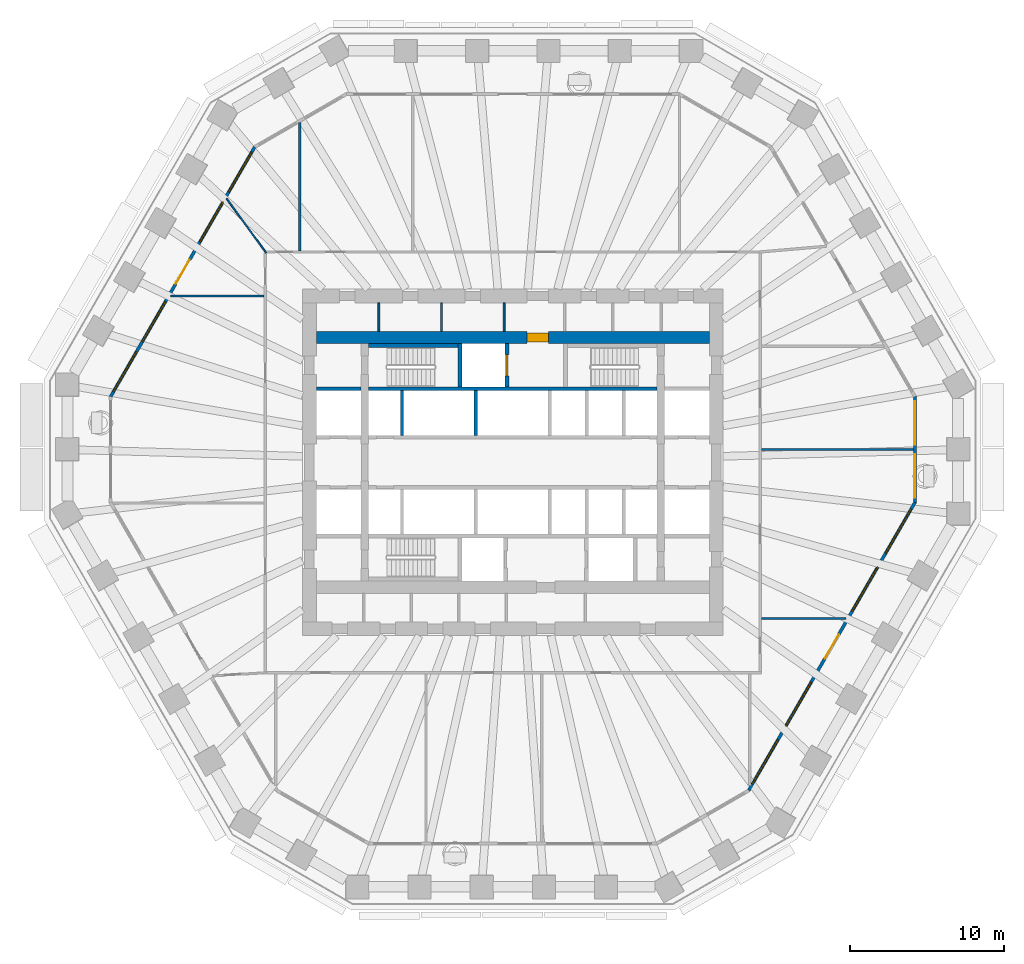
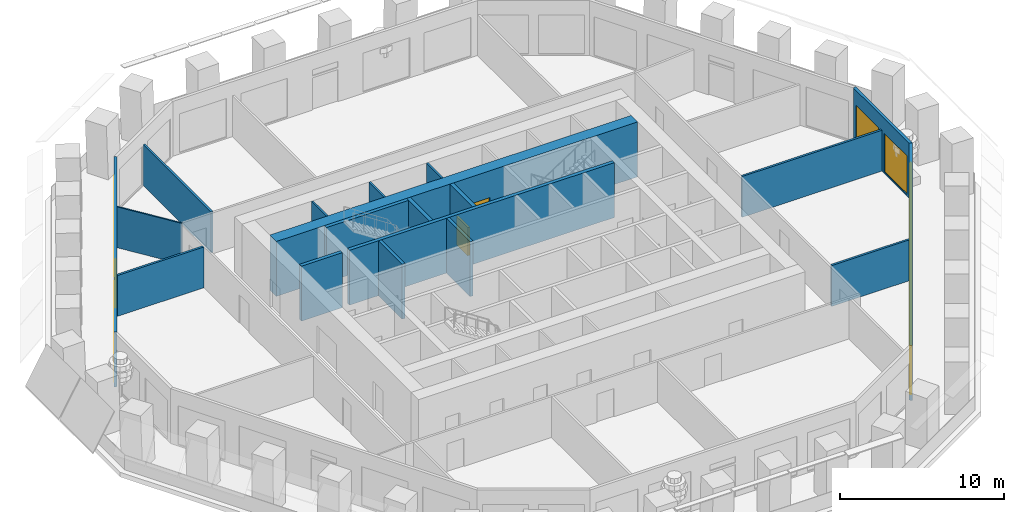
# One storey, part 6 of 12: 19 walls, 12 windows, 4 doors, 16 openings.
"""IFC4 building model written with IfcOpenShell, lengths in metres."""

import ifcopenshell
import ifcopenshell.guid

model = None  # the IFC model being written
_history = None  # IfcOwnerHistory: only IFC2X3 demands one
_inside = {}  # id of a spatial element -> (the spatial element, [elements in it])
_under = {}  # id of a project, library or spatial element -> (it, [spatial elements below it])
_declared = {}  # id of a project -> (the project, [libraries it declares])
_typed = {}  # id of a type object -> (the type object, [elements of that type])
_made_of = {}  # id of a material, layer set ... -> (it, [elements and type objects made of it])


def new_model(schema):
    """Start an empty IFC model of exactly this schema.

    Asked for "IFC4X3", IfcOpenShell would pick the latest addendum, in which some entities
    have other attributes; the version numbers below select the first issue.
    IFC2X3 requires an IfcOwnerHistory on every rooted entity: one is made here for all.
    """
    global model, _history
    if schema == "IFC4X3":
        model = ifcopenshell.file(schema_version=(4, 3, 0, 0))
    else:
        model = ifcopenshell.file(schema=schema)
    _inside.clear()
    _under.clear()
    _declared.clear()
    _typed.clear()
    _made_of.clear()
    _history = None
    if model.schema == "IFC2X3":
        org = make("IfcOrganization", Name="unknown")
        user = make(
            "IfcPersonAndOrganization",
            ThePerson=make("IfcPerson", FamilyName="unknown"),
            TheOrganization=org,
        )
        app = make(
            "IfcApplication",
            ApplicationDeveloper=org,
            Version="unknown",
            ApplicationFullName="unknown",
            ApplicationIdentifier="unknown",
        )
        _history = make(
            "IfcOwnerHistory",
            OwningUser=user,
            OwningApplication=app,
            ChangeAction="ADDED",
            CreationDate=0,
        )
    return model


def make(cls, **values):
    """One entity of the class cls with the attributes given. An attribute that is None is left unset."""
    return model.create_entity(
        cls, **{name: value for name, value in values.items() if value is not None}
    )


def rooted(cls, **values):
    """An entity with a GlobalId (a new one), such as an element, a storey or a relation."""
    return make(cls, GlobalId=ifcopenshell.guid.new(), OwnerHistory=_history, **values)


def si_unit(unit_type, name, prefix=None):
    """IfcSIUnit, for example si_unit("LENGTHUNIT", "METRE", prefix="MILLI")."""
    return make("IfcSIUnit", UnitType=unit_type, Prefix=prefix, Name=name)


def assignment(units):
    """IfcUnitAssignment: the units of a project."""
    return None if units is None else make("IfcUnitAssignment", Units=units)


def point(xyz):
    """IfcCartesianPoint."""
    return None if xyz is None else make("IfcCartesianPoint", Coordinates=xyz)


def direction(xyz):
    """IfcDirection."""
    return None if xyz is None else make("IfcDirection", DirectionRatios=xyz)


def frame(location, z_axis=None, x_axis=None):
    """IfcAxis2Placement3D, a coordinate frame: its origin and axes. An axis left out is left unset."""
    return make(
        "IfcAxis2Placement3D",
        Location=point(location),
        Axis=direction(z_axis),
        RefDirection=direction(x_axis),
    )


def frame_2d(location, x_axis=None):
    """IfcAxis2Placement2D, a coordinate frame in the plane: its origin and x axis."""
    return make(
        "IfcAxis2Placement2D", Location=point(location), RefDirection=direction(x_axis)
    )


def origin():
    """The frame at (0, 0, 0) with its axes left unset."""
    return frame((0.0, 0.0, 0.0))


def place(relative_to, where):
    """IfcLocalPlacement: puts the frame where relative to a parent placement (None: the world)."""
    return make(
        "IfcLocalPlacement", PlacementRelTo=relative_to, RelativePlacement=where
    )


def context(
    kind, dimensions, precision=None, world=None, true_north=None, identifier=None
):
    """IfcGeometricRepresentationContext, for example the 3D "Model" context."""
    return make(
        "IfcGeometricRepresentationContext",
        ContextIdentifier=identifier,
        ContextType=kind,
        CoordinateSpaceDimension=dimensions,
        Precision=precision,
        WorldCoordinateSystem=world,
        TrueNorth=true_north,
    )


def subcontext(parent, identifier, kind, view, scale=None):
    """IfcGeometricRepresentationSubContext, for example "Body" below "Model"."""
    return make(
        "IfcGeometricRepresentationSubContext",
        ContextIdentifier=identifier,
        ContextType=kind,
        ParentContext=parent,
        TargetScale=scale,
        TargetView=view,
    )


def project(units=None, contexts=None):
    """IfcProject with its units and contexts."""
    return rooted(
        "IfcProject",
        Name="project",
        RepresentationContexts=contexts,
        UnitsInContext=assignment(units),
    )


def spatial(cls, under=None, at=None, **own):
    """A site, building, storey or space (cls), placed at a placement, below another one or the project."""
    s = rooted(cls, ObjectPlacement=at, **own)
    if under is not None:
        _under.setdefault(under.id(), (under, []))[1].append(s)
    return s


def polyline(points):
    """IfcPolyline through the points."""
    return make("IfcPolyline", Points=[point(p) for p in points])


def profile(cls, at=None, kind="AREA", **sizes):
    """A parametric profile (cls). Its sizes go by their IFC names, for example OverallWidth=200.0."""
    return make(cls, ProfileType=kind, Position=at, **sizes)


def rectangle(**sizes):
    """IfcRectangleProfileDef."""
    return profile("IfcRectangleProfileDef", **sizes)


def outline(outer, holes=None, kind="AREA"):
    """IfcArbitraryClosedProfileDef: a profile drawn as a closed curve; with holes, ...WithVoids."""
    if holes is None:
        return make("IfcArbitraryClosedProfileDef", ProfileType=kind, OuterCurve=outer)
    return make(
        "IfcArbitraryProfileDefWithVoids",
        ProfileType=kind,
        OuterCurve=outer,
        InnerCurves=holes,
    )


def extrude(swept, where, along, depth):
    """IfcExtrudedAreaSolid: the profile swept, set in the frame where, extruded along a direction by depth."""
    return make(
        "IfcExtrudedAreaSolid",
        SweptArea=swept,
        Position=where,
        ExtrudedDirection=direction(along),
        Depth=depth,
    )


def shape(context_of_items, identifier, shape_type, items):
    """IfcShapeRepresentation: the items that make up one representation, for example the "Body"."""
    return make(
        "IfcShapeRepresentation",
        ContextOfItems=context_of_items,
        RepresentationIdentifier=identifier,
        RepresentationType=shape_type,
        Items=items,
    )


def material(Name=None, Category=None):
    """IfcMaterial."""
    return make("IfcMaterial", Name=Name, Category=Category)


def layer(
    of_material, thickness, ventilated=None, Name=None, Category=None, Priority=None
):
    """IfcMaterialLayer: one layer of a wall or slab, of a material (None: an air gap)."""
    return make(
        "IfcMaterialLayer",
        Material=of_material,
        LayerThickness=thickness,
        IsVentilated=ventilated,
        Name=Name,
        Category=Category,
        Priority=Priority,
    )


def layer_set(layers, Name=None):
    """IfcMaterialLayerSet."""
    return make("IfcMaterialLayerSet", MaterialLayers=layers, LayerSetName=Name)


def made_of(thing, what):
    """Note that an element or type object is made of a material, layer set ...; save() writes the relation."""
    if what is not None:
        _made_of.setdefault(what.id(), (what, []))[1].append(thing)
    return thing


def type_object(cls, material=None, **own):
    """A type object (cls), such as IfcWallType, which elements share."""
    return made_of(rooted(cls, **own), material)


def element(
    cls,
    number,
    at=None,
    inside=None,
    cuts=None,
    type_object=None,
    material=None,
    context=None,
    identifier="Body",
    shape_type=None,
    held_by="IfcProductDefinitionShape",
    body=None,
    shapes=None,
    **own,
):
    """One element of the class cls, such as IfcWall. Its Tag is "e" and its number.

    at: its placement. inside: the storey or other place that contains it. cuts: it is an
    opening in that element (IfcRelVoidsElement). A single representation is given by context,
    identifier, shape_type and body (its items); several are given by shapes. held_by: the class
    of the entity that holds the representations. save() writes the other relations.
    """
    e = rooted(cls, Tag="e%d" % number, ObjectPlacement=at, **own)
    if body is not None:
        shapes = [shape(context, identifier, shape_type, body)]
    if shapes is not None:
        e.Representation = make(held_by, Representations=shapes)
    if inside is not None:
        _inside.setdefault(inside.id(), (inside, []))[1].append(e)
    if cuts is not None:
        rooted(
            "IfcRelVoidsElement", RelatingBuildingElement=cuts, RelatedOpeningElement=e
        )
    if type_object is not None:
        _typed.setdefault(type_object.id(), (type_object, []))[1].append(e)
    return made_of(e, material)


def fill(opening, filler):
    """IfcRelFillsElement: the door or window that sits in an opening."""
    return rooted(
        "IfcRelFillsElement",
        RelatingOpeningElement=opening,
        RelatedBuildingElement=filler,
    )


def aggregate(whole, parts):
    """IfcRelAggregates: a whole, such as a stair, and the parts it consists of."""
    return rooted("IfcRelAggregates", RelatingObject=whole, RelatedObjects=parts)


def save(model, path):
    """Write the relations noted so far, then the file.

    IfcRelAggregates (storeys below a building ...), IfcRelContainedInSpatialStructure (elements
    in a storey), IfcRelDefinesByType, IfcRelAssociatesMaterial and IfcRelDeclares: one each for
    every whole, place, type object, material and project.
    """
    for whole, parts in _under.values():
        aggregate(whole, parts)
    for where, things in _inside.values():
        rooted(
            "IfcRelContainedInSpatialStructure",
            RelatedElements=things,
            RelatingStructure=where,
        )
    for kind, things in _typed.values():
        rooted("IfcRelDefinesByType", RelatedObjects=things, RelatingType=kind)
    for what, things in _made_of.values():
        rooted("IfcRelAssociatesMaterial", RelatedObjects=things, RelatingMaterial=what)
    for by, libraries in _declared.values():
        rooted("IfcRelDeclares", RelatingContext=by, RelatedDefinitions=libraries)
    model.write(path)


model = new_model("IFC4")

# Units and contexts
model_context = context("Model", 3, precision=1e-05, world=origin(), true_north=direction((0.0, 1.0)))
body_context = subcontext(model_context, "Body", "Model", "MODEL_VIEW")
ifc_project = project(units=[si_unit("LENGTHUNIT", "METRE"), si_unit("AREAUNIT", "SQUARE_METRE"), si_unit("VOLUMEUNIT", "CUBIC_METRE"), si_unit("PLANEANGLEUNIT", "RADIAN"), si_unit("MASSUNIT", "GRAM", prefix="KILO")], contexts=[model_context])

# Site, building, storey
site_placement = place(None, origin())
site = spatial("IfcSite", under=ifc_project, at=site_placement, CompositionType="ELEMENT")
building_placement = place(site_placement, origin())
building = spatial("IfcBuilding", under=site, at=building_placement, Name="Frailejon Research Tower", CompositionType="ELEMENT")
storey_placement = place(building_placement, frame((0.0, 0.0, 41.0)))
storey = spatial("IfcBuildingStorey", under=building, at=storey_placement, Name="L09", CompositionType="ELEMENT", Elevation=41.0)

# Walls
ifc_material_1 = material(Name="Plasterboard on steel studs", Category="steel")
ifc_layer_1 = layer(ifc_material_1, 0.125)
ifc_layer_set_1 = layer_set([ifc_layer_1], Name="Core partition 125")
wall_type_1 = type_object("IfcWallType", Name="Core partition 125", PredefinedType="PARTITIONING", material=ifc_layer_set_1)
for number, where, z_axis, x_axis, name in (
    (1, (-8.6875, 8.5, 0.0), (0.0, 0.0, 1.0), (0.0, 1.0, 0.0), "Core partition"),
    (2, (-4.625, 8.5, 0.0), (0.0, 0.0, 1.0), (0.0, 1.0, 0.0), "Core partition"),
    (3, (-0.5625, 8.5, 0.0), (0.0, 0.0, 1.0), (0.0, 1.0, 0.0), "Core partition"),
):
    element("IfcWall", number, at=place(storey_placement, frame(where, z_axis=z_axis, x_axis=x_axis)), inside=storey, type_object=wall_type_1, Name=name, PredefinedType="PARTITIONING", context=body_context, shape_type="SweptSolid", body=[
        extrude(rectangle(XDim=1.85009765625, YDim=0.125, at=frame_2d((0.925048828125, 0.0))), origin(), (0.0, 0.0, 1.0), 4.10009765625),
    ])

# Wall, opening, door
ifc_material_2 = material(Name="Concrete C70/85", Category="concrete")
ifc_layer_2 = layer(ifc_material_2, 0.800048828125)
ifc_layer_set_2 = layer_set([ifc_layer_2], Name="Core shear wall 800 C70/85")
wall_type_2 = type_object("IfcWallType", Name="Core shear wall 800 C70/85", PredefinedType="SHEAR", material=ifc_layer_set_2)
wall_1_placement = place(storey_placement, frame((-12.75, 8.10009765625, 0.0), z_axis=(0.0, 0.0, 1.0), x_axis=(1.0, 0.0, 0.0)))
wall_1 = element("IfcWall", 4, at=wall_1_placement, inside=storey, type_object=wall_type_2, Name="Core shear wall", PredefinedType="SHEAR", context=body_context, shape_type="SweptSolid", body=[
    extrude(rectangle(XDim=25.5, YDim=0.800048828125, at=frame_2d((12.75, 0.0))), origin(), (0.0, 0.0, 1.0), 4.10009765625),
])
opening_1_placement = place(wall_1_placement, frame((13.675048828125, 0.0, 0.0)))
opening_1 = element("IfcOpeningElement", 5, at=opening_1_placement, cuts=wall_1, Name="Opening D9", PredefinedType="OPENING", context=body_context, shape_type="SweptSolid", body=[
    extrude(rectangle(XDim=1.39990234375, YDim=2.10009765625, at=frame_2d((0.699951171875, 1.050048828125))), frame((0.0, 0.409912109375, 0.0), z_axis=(0.0, -1.0, 0.0), x_axis=(1.0, 0.0, 0.0)), (0.0, 0.0, 1.0), 0.820068359375),
])
ifc_material_3 = material(Name="Steel", Category="steel")
door_type_1 = type_object("IfcDoorType", Name="Goods lobby door", OperationType="DOUBLE_DOOR_SINGLE_SWING", PredefinedType="DOOR", material=ifc_material_3)
door_1_placement = place(opening_1_placement, origin())
door_1 = element("IfcDoor", 6, at=door_1_placement, inside=storey, type_object=door_type_1, Name="Goods lobby door", OperationType="DOUBLE_DOOR_SINGLE_SWING", OverallHeight=2.10009765625, OverallWidth=1.39990234375, PredefinedType="DOOR", context=body_context, shape_type="SweptSolid", body=[
    extrude(rectangle(XDim=1.39990234375, YDim=2.10009765625, at=frame_2d((0.699951171875, 1.050048828125))), frame((0.0, 0.300048828125, 0.0), z_axis=(0.0, -1.0, 0.0), x_axis=(1.0, 0.0, 0.0)), (0.0, 0.0, 1.0), 0.60009765625),
])
fill(opening_1, door_1)

# Walls
ifc_material_4 = material(Name="Gypsum board and masonry partition", Category="masonry")
ifc_layer_3 = layer(ifc_material_4, 0.14990234375)
ifc_layer_set_3 = layer_set([ifc_layer_3], Name="Laboratory partition, blockwork 150")
wall_type_3 = type_object("IfcWallType", Name="Laboratory partition, blockwork 150", PredefinedType="PARTITIONING", material=ifc_layer_set_3)
wall_2_placement = place(storey_placement, frame((16.125, 0.82958984375, 0.0), z_axis=(0.0, 0.0, 1.0), x_axis=(1.0, 0.0, 0.0)))
element("IfcWall", 7, at=wall_2_placement, inside=storey, type_object=wall_type_3, Name="T:IW:L09:006", PredefinedType="PARTITIONING", context=body_context, shape_type="SweptSolid", body=[
    extrude(rectangle(XDim=9.86669921875, YDim=0.14990234375, at=frame_2d((4.933349609375, 0.0))), origin(), (0.0, 0.0, 1.0), 3.050048828125),
])
wall_3_placement = place(storey_placement, frame((-13.814453125, 13.72509765625, 0.0), z_axis=(0.0, 0.0, 1.0), x_axis=(0.0, 1.0, 0.0)))
element("IfcWall", 8, at=wall_3_placement, inside=storey, type_object=wall_type_3, Name="T:IW:L09:010", PredefinedType="PARTITIONING", context=body_context, shape_type="SweptSolid", body=[
    extrude(rectangle(XDim=8.31201171875, YDim=0.14990234375, at=frame_2d((4.156005859375, 0.0))), origin(), (0.0, 0.0, 1.0), 3.050048828125),
])
wall_4_placement = place(storey_placement, frame((-22.2099609375, 10.79052734375, 0.0), z_axis=(0.0, 0.0, 1.0), x_axis=(1.0, 0.0, 0.0)))
element("IfcWall", 9, at=wall_4_placement, inside=storey, type_object=wall_type_3, Name="T:IW:L09:011", PredefinedType="PARTITIONING", context=body_context, shape_type="SweptSolid", body=[
    extrude(rectangle(XDim=6.0849609375, YDim=0.14990234375, at=frame_2d((3.04248046875, 0.0))), origin(), (0.0, 0.0, 1.0), 3.050048828125),
])
wall_5_placement = place(storey_placement, frame((16.125, -10.126953125, 0.0), z_axis=(0.0, 0.0, 1.0), x_axis=(1.0, 0.0, 0.0)))
element("IfcWall", 10, at=wall_5_placement, inside=storey, type_object=wall_type_3, Name="T:IW:L09:017", PredefinedType="PARTITIONING", context=body_context, shape_type="SweptSolid", body=[
    extrude(rectangle(XDim=5.510009765625, YDim=0.14990234375, at=frame_2d((2.7548828125, 0.0))), origin(), (0.0, 0.0, 1.0), 3.050048828125),
])
ifc_material_5 = material(Name="Gypsum board and masonry partition", Category="masonry")
ifc_layer_4 = layer(ifc_material_5, 0.10009765625)
ifc_layer_set_4 = layer_set([ifc_layer_4], Name="Partition, gypsum on steel studs 100")
wall_type_4 = type_object("IfcWallType", Name="Partition, gypsum on steel studs 100", PredefinedType="PARTITIONING", material=ifc_layer_set_4)
wall_6_placement = place(storey_placement, frame((-18.561279296875, 17.110107421875, 0.0), z_axis=(0.0, 0.0, 1.0), x_axis=(0.587400624475, -0.809296303196, 0.0)))
element("IfcWall", 11, at=wall_6_placement, inside=storey, type_object=wall_type_4, Name="T:IW:L09:018", PredefinedType="PARTITIONING", context=body_context, shape_type="SweptSolid", body=[
    extrude(rectangle(XDim=4.350341796875, YDim=0.10009765625, at=frame_2d((2.17529296875, 0.0))), origin(), (0.0, 0.0, 1.0), 3.050048828125),
])
ifc_material_6 = material(Name="Concrete C70/85", Category="concrete")
ifc_layer_5 = layer(ifc_material_6, 0.199951171875)
ifc_layer_set_5 = layer_set([ifc_layer_5], Name="Shaft wall 200 C70/85")
wall_type_5 = type_object("IfcWallType", Name="Shaft wall 200 C70/85", PredefinedType="SOLIDWALL", material=ifc_layer_set_5)
for number, where, z_axis, x_axis, name in (
    (12, (-7.199951171875, 1.75, 0.0), (0.0, 0.0, 1.0), (0.0, 1.0, 0.0), "Shaft wall"),
    (13, (-2.39990234375, 1.75, 0.0), (0.0, 0.0, 1.0), (0.0, 1.0, 0.0), "Shaft wall"),
):
    element("IfcWall", number, at=place(storey_placement, frame(where, z_axis=z_axis, x_axis=x_axis)), inside=storey, type_object=wall_type_5, Name=name, PredefinedType="SOLIDWALL", context=body_context, shape_type="SweptSolid", body=[
        extrude(rectangle(XDim=2.89990234375, YDim=0.199951171875, at=frame_2d((1.449951171875, 0.0))), origin(), (0.0, 0.0, 1.0), 4.10009765625),
    ])
ifc_material_7 = material(Name="Concrete C70/85", Category="concrete")
ifc_layer_6 = layer(ifc_material_7, 0.25)
ifc_layer_set_6 = layer_set([ifc_layer_6], Name="Shaft wall 250 C70/85")
wall_type_6 = type_object("IfcWallType", Name="Shaft wall 250 C70/85", PredefinedType="SOLIDWALL", material=ifc_layer_set_6)
wall_7_placement = place(storey_placement, frame((-12.75, 4.77490234375, 0.0), z_axis=(0.0, 0.0, 1.0), x_axis=(1.0, 0.0, 0.0)))
element("IfcWall", 14, at=wall_7_placement, inside=storey, type_object=wall_type_6, Name="Shaft wall", PredefinedType="SOLIDWALL", context=body_context, shape_type="SweptSolid", body=[
    extrude(rectangle(XDim=2.89990234375, YDim=0.25, at=frame_2d((1.449951171875, 0.0))), origin(), (0.0, 0.0, 1.0), 4.10009765625),
])
wall_8_placement = place(storey_placement, frame((-9.35009765625, 4.77490234375, 0.0), z_axis=(0.0, 0.0, 1.0), x_axis=(1.0, 0.0, 0.0)))
element("IfcWall", 15, at=wall_8_placement, inside=storey, type_object=wall_type_6, Name="Shaft wall", PredefinedType="SOLIDWALL", context=body_context, shape_type="SweptSolid", body=[
    extrude(rectangle(XDim=18.7001953125, YDim=0.25, at=frame_2d((9.35009765625, 0.0))), origin(), (0.0, 0.0, 1.0), 4.10009765625),
])
wall_9_placement = place(storey_placement, frame((-9.35009765625, 7.574951171875, 0.0), z_axis=(0.0, 0.0, 1.0), x_axis=(1.0, 0.0, 0.0)))
element("IfcWall", 16, at=wall_9_placement, inside=storey, type_object=wall_type_6, Name="Shaft wall", PredefinedType="SOLIDWALL", context=body_context, shape_type="SweptSolid", body=[
    extrude(rectangle(XDim=5.800048828125, YDim=0.25, at=frame_2d((2.89990234375, 0.0))), origin(), (0.0, 0.0, 1.0), 4.10009765625),
])
wall_10_placement = place(storey_placement, frame((-3.425048828125, 4.89990234375, 0.0), z_axis=(0.0, 0.0, 1.0), x_axis=(0.0, 1.0, 0.0)))
element("IfcWall", 17, at=wall_10_placement, inside=storey, type_object=wall_type_6, Name="Shaft wall", PredefinedType="SOLIDWALL", context=body_context, shape_type="SweptSolid", body=[
    extrude(rectangle(XDim=2.800048828125, YDim=0.25, at=frame_2d((1.39990234375, 0.0))), origin(), (0.0, 0.0, 1.0), 4.10009765625),
])

# Wall, opening, door
wall_11_placement = place(storey_placement, frame((-0.375, 4.89990234375, 0.0), z_axis=(0.0, 0.0, 1.0), x_axis=(0.0, 1.0, 0.0)))
wall_11 = element("IfcWall", 18, at=wall_11_placement, inside=storey, type_object=wall_type_6, Name="Shaft wall", PredefinedType="SOLIDWALL", context=body_context, shape_type="SweptSolid", body=[
    extrude(rectangle(XDim=2.800048828125, YDim=0.25, at=frame_2d((1.39990234375, 0.0))), origin(), (0.0, 0.0, 1.0), 4.10009765625),
])
opening_2_placement = place(wall_11_placement, frame((0.699951171875, 0.0, 0.0)))
opening_2 = element("IfcOpeningElement", 19, at=opening_2_placement, cuts=wall_11, Name="Opening LD2", PredefinedType="OPENING", context=body_context, shape_type="SweptSolid", body=[
    extrude(rectangle(XDim=1.39990234375, YDim=2.10009765625, at=frame_2d((0.699951171875, 1.050048828125))), frame((0.0, 0.135009765625, 0.0), z_axis=(0.0, -1.0, 0.0), x_axis=(1.0, 0.0, 0.0)), (0.0, 0.0, 1.0), 0.27001953125),
])
ifc_material_8 = material(Name="Stainless steel", Category="steel")
door_type_2 = type_object("IfcDoorType", Name="Goods landing door", OperationType="DOUBLE_DOOR_SLIDING", PredefinedType="DOOR", material=ifc_material_8)
door_2_placement = place(opening_2_placement, origin())
door_2 = element("IfcDoor", 20, at=door_2_placement, inside=storey, type_object=door_type_2, Name="Lift landing door", OperationType="DOUBLE_DOOR_SLIDING", OverallHeight=2.10009765625, OverallWidth=1.39990234375, PredefinedType="DOOR", context=body_context, shape_type="SweptSolid", body=[
    extrude(rectangle(XDim=1.39990234375, YDim=2.10009765625, at=frame_2d((0.699951171875, 1.050048828125))), frame((0.0, 0.074951171875, 0.0), z_axis=(0.0, -1.0, 0.0), x_axis=(1.0, 0.0, 0.0)), (0.0, 0.0, 1.0), 0.14990234375),
])
fill(opening_2, door_2)

# Wall, openings, windows
ifc_material_9 = material(Name="Concrete C40/50 precast window wall panel", Category="concrete")
ifc_layer_7 = layer(ifc_material_9, 0.199951171875)
ifc_layer_set_7 = layer_set([ifc_layer_7], Name="Window wall 200")
wall_type_7 = type_object("IfcWallType", Name="Window wall 200", PredefinedType="SOLIDWALL", material=ifc_layer_set_7)
wall_12_placement = place(storey_placement, frame((26.091796875, -2.607666015625, 0.0), z_axis=(0.0, 0.0, 1.0), x_axis=(0.0, 1.0, 0.0)))
wall_12 = element("IfcWall", 21, at=wall_12_placement, inside=storey, type_object=wall_type_7, Name="Exterior wall L09", PredefinedType="SOLIDWALL", context=body_context, shape_type="SweptSolid", body=[
    extrude(outline(polyline([(-0.02685546875, -0.10009765625), (1.1279296875, -0.10009765625), (2.28271484375, -0.10009765625), (3.4375, -0.10009765625), (4.592041015625, -0.10009765625), (5.746826171875, -0.10009765625), (6.901611328125, -0.10009765625), (6.847900390625, 0.10009765625), (5.7109375, 0.10009765625), (4.57421875, 0.10009765625), (3.4375, 0.10009765625), (2.300537109375, 0.10009765625), (1.16357421875, 0.10009765625), (0.02685546875, 0.10009765625), (-0.02685546875, -0.10009765625)])), origin(), (0.0, 0.0, 1.0), 4.10009765625),
])
opening_3_placement = place(wall_12_placement, frame((0.318603515625, 0.0, 0.10009765625)))
opening_3 = element("IfcOpeningElement", 22, at=opening_3_placement, cuts=wall_12, Name="Opening W3", PredefinedType="OPENING", context=body_context, shape_type="SweptSolid", body=[
    extrude(rectangle(XDim=2.800048828125, YDim=2.89990234375, at=frame_2d((1.39990234375, 1.449951171875))), frame((0.0, 0.10986328125, 0.0), z_axis=(0.0, -1.0, 0.0), x_axis=(1.0, 0.0, 0.0)), (0.0, 0.0, 1.0), 0.219970703125),
])
opening_4_placement = place(wall_12_placement, frame((3.756103515625, 0.0, 0.10009765625)))
opening_4 = element("IfcOpeningElement", 23, at=opening_4_placement, cuts=wall_12, Name="Opening W3", PredefinedType="OPENING", context=body_context, shape_type="SweptSolid", body=[
    extrude(rectangle(XDim=2.800048828125, YDim=2.89990234375, at=frame_2d((1.39990234375, 1.449951171875))), frame((0.0, 0.10986328125, 0.0), z_axis=(0.0, -1.0, 0.0), x_axis=(1.0, 0.0, 0.0)), (0.0, 0.0, 1.0), 0.219970703125),
])
ifc_material_10 = material(Name="Aluminium framed double glazing", Category="aluminium")
window_type_1 = type_object("IfcWindowType", Name="Window 2800x2900", PartitioningType="SINGLE_PANEL", PredefinedType="WINDOW", material=ifc_material_10)
window_1_placement = place(opening_3_placement, origin())
window_1 = element("IfcWindow", 24, at=window_1_placement, inside=storey, type_object=window_type_1, Name="Window L09", OverallHeight=2.89990234375, OverallWidth=2.800048828125, PartitioningType="SINGLE_PANEL", PredefinedType="WINDOW", context=body_context, shape_type="SweptSolid", body=[
    extrude(rectangle(XDim=2.800048828125, YDim=2.89990234375, at=frame_2d((1.39990234375, 1.449951171875))), frame((0.0, 0.030029296875, 0.0), z_axis=(0.0, -1.0, 0.0), x_axis=(1.0, 0.0, 0.0)), (0.0, 0.0, 1.0), 0.06005859375),
])
fill(opening_3, window_1)
window_2_placement = place(opening_4_placement, origin())
window_2 = element("IfcWindow", 25, at=window_2_placement, inside=storey, type_object=window_type_1, Name="Window L09", OverallHeight=2.89990234375, OverallWidth=2.800048828125, PartitioningType="SINGLE_PANEL", PredefinedType="WINDOW", context=body_context, shape_type="SweptSolid", body=[
    extrude(rectangle(XDim=2.800048828125, YDim=2.89990234375, at=frame_2d((1.39990234375, 1.449951171875))), frame((0.0, 0.030029296875, 0.0), z_axis=(0.0, -1.0, 0.0), x_axis=(1.0, 0.0, 0.0)), (0.0, 0.0, 1.0), 0.06005859375),
])
fill(opening_4, window_2)

# Wall, openings, door, windows
wall_13_placement = place(storey_placement, frame((-16.7412109375, 20.462646484375, 0.0), z_axis=(0.0, 0.0, 1.0), x_axis=(-0.500003086107, -0.866023622012, 0.0)))
wall_13 = element("IfcWall", 26, at=wall_13_placement, inside=storey, type_object=wall_type_7, Name="Exterior wall L09", PredefinedType="SOLIDWALL", context=body_context, shape_type="SweptSolid", body=[
    extrude(outline(polyline([(-0.02685546875, -0.10009765625), (1.01513671875, -0.10009765625), (2.05712890625, -0.10009765625), (3.098876953125, -0.10009765625), (4.140869140625, -0.10009765625), (5.182861328125, -0.10009765625), (6.224853515625, -0.10009765625), (7.2666015625, -0.10009765625), (8.30859375, -0.10009765625), (9.3505859375, -0.10009765625), (10.392578125, -0.10009765625), (11.4345703125, -0.10009765625), (12.476318359375, -0.10009765625), (13.518310546875, -0.10009765625), (14.560302734375, -0.10009765625), (15.602294921875, -0.10009765625), (16.64404296875, -0.10009765625), (17.68603515625, -0.10009765625), (18.72802734375, -0.10009765625), (18.67431640625, 0.10009765625), (17.638427734375, 0.10009765625), (16.602294921875, 0.10009765625), (15.56640625, 0.10009765625), (14.530517578125, 0.10009765625), (13.494384765625, 0.10009765625), (12.45849609375, 0.10009765625), (11.422607421875, 0.10009765625), (10.386474609375, 0.10009765625), (9.3505859375, 0.10009765625), (8.314697265625, 0.10009765625), (7.278564453125, 0.10009765625), (6.24267578125, 0.10009765625), (5.206787109375, 0.10009765625), (4.170654296875, 0.10009765625), (3.134765625, 0.10009765625), (2.098876953125, 0.10009765625), (1.062744140625, 0.10009765625), (0.02685546875, 0.10009765625), (-0.02685546875, -0.10009765625)])), origin(), (0.0, 0.0, 1.0), 4.10009765625),
])
opening_5_placement = place(wall_13_placement, frame((0.3701171875, 0.0, 0.10009765625)))
opening_5 = element("IfcOpeningElement", 27, at=opening_5_placement, cuts=wall_13, Name="Opening W4", PredefinedType="OPENING", context=body_context, shape_type="SweptSolid", body=[
    extrude(rectangle(XDim=3.0, YDim=2.89990234375, at=frame_2d((1.5, 1.449951171875))), frame((0.0, 0.10986328125, 0.0), z_axis=(0.0, -1.0, 0.0), x_axis=(1.0, 0.0, 0.0)), (0.0, 0.0, 1.0), 0.219970703125),
])
opening_6_placement = place(wall_13_placement, frame((4.1103515625, 0.0, 0.10009765625)))
opening_6 = element("IfcOpeningElement", 28, at=opening_6_placement, cuts=wall_13, Name="Opening W4", PredefinedType="OPENING", context=body_context, shape_type="SweptSolid", body=[
    extrude(rectangle(XDim=3.0, YDim=2.89990234375, at=frame_2d((1.5, 1.449951171875))), frame((0.0, 0.10986328125, 0.0), z_axis=(0.0, -1.0, 0.0), x_axis=(1.0, 0.0, 0.0)), (0.0, 0.0, 1.0), 0.219970703125),
])
opening_7_placement = place(wall_13_placement, frame((8.45068359375, 0.0, 0.0)))
opening_7 = element("IfcOpeningElement", 29, at=opening_7_placement, cuts=wall_13, Name="Opening LG09-3", PredefinedType="OPENING", context=body_context, shape_type="SweptSolid", body=[
    extrude(rectangle(XDim=1.800048828125, YDim=2.39990234375, at=frame_2d((0.89990234375, 1.199951171875))), frame((0.0, 0.10986328125, 0.0), z_axis=(0.0, -1.0, 0.0), x_axis=(1.0, 0.0, 0.0)), (0.0, 0.0, 1.0), 0.219970703125),
])
opening_8_placement = place(wall_13_placement, frame((8.45068359375, 0.0, 2.550048828125)))
opening_8 = element("IfcOpeningElement", 30, at=opening_8_placement, cuts=wall_13, Name="Opening W1", PredefinedType="OPENING", context=body_context, shape_type="SweptSolid", body=[
    extrude(rectangle(XDim=1.800048828125, YDim=0.449951171875, at=frame_2d((0.89990234375, 0.22509765625))), frame((0.0, 0.10986328125, 0.0), z_axis=(0.0, -1.0, 0.0), x_axis=(1.0, 0.0, 0.0)), (0.0, 0.0, 1.0), 0.219970703125),
])
opening_9_placement = place(wall_13_placement, frame((11.5908203125, 0.0, 0.10009765625)))
opening_9 = element("IfcOpeningElement", 31, at=opening_9_placement, cuts=wall_13, Name="Opening W4", PredefinedType="OPENING", context=body_context, shape_type="SweptSolid", body=[
    extrude(rectangle(XDim=3.0, YDim=2.89990234375, at=frame_2d((1.5, 1.449951171875))), frame((0.0, 0.10986328125, 0.0), z_axis=(0.0, -1.0, 0.0), x_axis=(1.0, 0.0, 0.0)), (0.0, 0.0, 1.0), 0.219970703125),
])
opening_10_placement = place(wall_13_placement, frame((15.3310546875, 0.0, 0.10009765625)))
opening_10 = element("IfcOpeningElement", 32, at=opening_10_placement, cuts=wall_13, Name="Opening W4", PredefinedType="OPENING", context=body_context, shape_type="SweptSolid", body=[
    extrude(rectangle(XDim=3.0, YDim=2.89990234375, at=frame_2d((1.5, 1.449951171875))), frame((0.0, 0.10986328125, 0.0), z_axis=(0.0, -1.0, 0.0), x_axis=(1.0, 0.0, 0.0)), (0.0, 0.0, 1.0), 0.219970703125),
])
ifc_material_11 = material(Name="Aluminium framed glazed door leaf", Category="aluminium")
door_type_3 = type_object("IfcDoorType", Name="Loggia door 1800x2400", OperationType="DOUBLE_DOOR_SINGLE_SWING", PredefinedType="DOOR", material=ifc_material_11)
door_3_placement = place(opening_7_placement, origin())
door_3 = element("IfcDoor", 33, at=door_3_placement, inside=storey, type_object=door_type_3, Name="Door LG09-3", OperationType="DOUBLE_DOOR_SINGLE_SWING", OverallHeight=2.39990234375, OverallWidth=1.800048828125, PredefinedType="DOOR", context=body_context, shape_type="SweptSolid", body=[
    extrude(rectangle(XDim=1.800048828125, YDim=2.39990234375, at=frame_2d((0.89990234375, 1.199951171875))), frame((0.0, 0.02490234375, 0.0), z_axis=(0.0, -1.0, 0.0), x_axis=(1.0, 0.0, 0.0)), (0.0, 0.0, 1.0), 0.050048828125),
])
fill(opening_7, door_3)
ifc_material_12 = material(Name="Aluminium framed double glazing", Category="aluminium")
window_type_2 = type_object("IfcWindowType", Name="Window 1800x450", PartitioningType="SINGLE_PANEL", PredefinedType="WINDOW", material=ifc_material_12)
window_3_placement = place(opening_8_placement, origin())
window_3 = element("IfcWindow", 34, at=window_3_placement, inside=storey, type_object=window_type_2, Name="Window L09", OverallHeight=0.449951171875, OverallWidth=1.800048828125, PartitioningType="SINGLE_PANEL", PredefinedType="WINDOW", context=body_context, shape_type="SweptSolid", body=[
    extrude(rectangle(XDim=1.800048828125, YDim=0.449951171875, at=frame_2d((0.89990234375, 0.22509765625))), frame((0.0, 0.030029296875, 0.0), z_axis=(0.0, -1.0, 0.0), x_axis=(1.0, 0.0, 0.0)), (0.0, 0.0, 1.0), 0.06005859375),
])
fill(opening_8, window_3)
ifc_material_13 = material(Name="Aluminium framed double glazing", Category="aluminium")
window_type_3 = type_object("IfcWindowType", Name="Window 3000x2900", PartitioningType="SINGLE_PANEL", PredefinedType="WINDOW", material=ifc_material_13)
window_4_placement = place(opening_5_placement, origin())
window_4 = element("IfcWindow", 35, at=window_4_placement, inside=storey, type_object=window_type_3, Name="Window L09", OverallHeight=2.89990234375, OverallWidth=3.0, PartitioningType="SINGLE_PANEL", PredefinedType="WINDOW", context=body_context, shape_type="SweptSolid", body=[
    extrude(rectangle(XDim=3.0, YDim=2.89990234375, at=frame_2d((1.5, 1.449951171875))), frame((0.0, 0.030029296875, 0.0), z_axis=(0.0, -1.0, 0.0), x_axis=(1.0, 0.0, 0.0)), (0.0, 0.0, 1.0), 0.06005859375),
])
fill(opening_5, window_4)
window_5_placement = place(opening_6_placement, origin())
window_5 = element("IfcWindow", 36, at=window_5_placement, inside=storey, type_object=window_type_3, Name="Window L09", OverallHeight=2.89990234375, OverallWidth=3.0, PartitioningType="SINGLE_PANEL", PredefinedType="WINDOW", context=body_context, shape_type="SweptSolid", body=[
    extrude(rectangle(XDim=3.0, YDim=2.89990234375, at=frame_2d((1.5, 1.449951171875))), frame((0.0, 0.030029296875, 0.0), z_axis=(0.0, -1.0, 0.0), x_axis=(1.0, 0.0, 0.0)), (0.0, 0.0, 1.0), 0.06005859375),
])
fill(opening_6, window_5)
window_6_placement = place(opening_9_placement, origin())
window_6 = element("IfcWindow", 37, at=window_6_placement, inside=storey, type_object=window_type_3, Name="Window L09", OverallHeight=2.89990234375, OverallWidth=3.0, PartitioningType="SINGLE_PANEL", PredefinedType="WINDOW", context=body_context, shape_type="SweptSolid", body=[
    extrude(rectangle(XDim=3.0, YDim=2.89990234375, at=frame_2d((1.5, 1.449951171875))), frame((0.0, 0.030029296875, 0.0), z_axis=(0.0, -1.0, 0.0), x_axis=(1.0, 0.0, 0.0)), (0.0, 0.0, 1.0), 0.06005859375),
])
fill(opening_9, window_6)
window_7_placement = place(opening_10_placement, origin())
window_7 = element("IfcWindow", 38, at=window_7_placement, inside=storey, type_object=window_type_3, Name="Window L09", OverallHeight=2.89990234375, OverallWidth=3.0, PartitioningType="SINGLE_PANEL", PredefinedType="WINDOW", context=body_context, shape_type="SweptSolid", body=[
    extrude(rectangle(XDim=3.0, YDim=2.89990234375, at=frame_2d((1.5, 1.449951171875))), frame((0.0, 0.030029296875, 0.0), z_axis=(0.0, -1.0, 0.0), x_axis=(1.0, 0.0, 0.0)), (0.0, 0.0, 1.0), 0.06005859375),
])
fill(opening_10, window_7)

wall_14_placement = place(storey_placement, frame((15.30419921875, -21.292236328125, 0.0), z_axis=(0.0, 0.0, 1.0), x_axis=(0.500001945179, 0.866024280732, 0.0)))
wall_14 = element("IfcWall", 39, at=wall_14_placement, inside=storey, type_object=wall_type_7, Name="Exterior wall L09", PredefinedType="SOLIDWALL", context=body_context, shape_type="SweptSolid", body=[
    extrude(outline(polyline([(-0.02685546875, -0.10009765625), (1.003173828125, -0.10009765625), (2.032958984375, -0.10009765625), (3.06298828125, -0.10009765625), (4.093017578125, -0.10009765625), (5.122802734375, -0.10009765625), (6.15283203125, -0.10009765625), (7.182861328125, -0.10009765625), (8.212646484375, -0.10009765625), (9.24267578125, -0.10009765625), (10.272705078125, -0.10009765625), (11.302490234375, -0.10009765625), (12.33251953125, -0.10009765625), (13.362548828125, -0.10009765625), (14.392333984375, -0.10009765625), (15.42236328125, -0.10009765625), (16.452392578125, -0.10009765625), (17.482177734375, -0.10009765625), (18.51220703125, -0.10009765625), (19.542236328125, -0.10009765625), (20.572021484375, -0.10009765625), (21.60205078125, -0.10009765625), (21.54833984375, 0.10009765625), (20.5234375, 0.10009765625), (19.498779296875, 0.10009765625), (18.473876953125, 0.10009765625), (17.448974609375, 0.10009765625), (16.424072265625, 0.10009765625), (15.3994140625, 0.10009765625), (14.37451171875, 0.10009765625), (13.349609375, 0.10009765625), (12.324951171875, 0.10009765625), (11.300048828125, 0.10009765625), (10.275146484375, 0.10009765625), (9.250244140625, 0.10009765625), (8.2255859375, 0.10009765625), (7.20068359375, 0.10009765625), (6.17578125, 0.10009765625), (5.151123046875, 0.10009765625), (4.126220703125, 0.10009765625), (3.101318359375, 0.10009765625), (2.076416015625, 0.10009765625), (1.0517578125, 0.10009765625), (0.02685546875, 0.10009765625), (-0.02685546875, -0.10009765625)])), origin(), (0.0, 0.0, 1.0), 4.10009765625),
])
opening_11_placement = place(wall_14_placement, frame((0.507568359375, 0.0, 0.10009765625)))
opening_11 = element("IfcOpeningElement", 40, at=opening_11_placement, cuts=wall_14, Name="Opening W5", PredefinedType="OPENING", context=body_context, shape_type="SweptSolid", body=[
    extrude(rectangle(XDim=3.300048828125, YDim=2.89990234375, at=frame_2d((1.64990234375, 1.449951171875))), frame((0.0, 0.10986328125, 0.0), z_axis=(0.0, -1.0, 0.0), x_axis=(1.0, 0.0, 0.0)), (0.0, 0.0, 1.0), 0.219970703125),
])
opening_12_placement = place(wall_14_placement, frame((4.822509765625, 0.0, 0.10009765625)))
opening_12 = element("IfcOpeningElement", 41, at=opening_12_placement, cuts=wall_14, Name="Opening W5", PredefinedType="OPENING", context=body_context, shape_type="SweptSolid", body=[
    extrude(rectangle(XDim=3.300048828125, YDim=2.89990234375, at=frame_2d((1.64990234375, 1.449951171875))), frame((0.0, 0.10986328125, 0.0), z_axis=(0.0, -1.0, 0.0), x_axis=(1.0, 0.0, 0.0)), (0.0, 0.0, 1.0), 0.219970703125),
])
opening_13_placement = place(wall_14_placement, frame((9.8876953125, 0.0, 0.0)))
opening_13 = element("IfcOpeningElement", 42, at=opening_13_placement, cuts=wall_14, Name="Opening LG09-6", PredefinedType="OPENING", context=body_context, shape_type="SweptSolid", body=[
    extrude(rectangle(XDim=1.800048828125, YDim=2.39990234375, at=frame_2d((0.89990234375, 1.199951171875))), frame((0.0, 0.10986328125, 0.0), z_axis=(0.0, -1.0, 0.0), x_axis=(1.0, 0.0, 0.0)), (0.0, 0.0, 1.0), 0.219970703125),
])
opening_14_placement = place(wall_14_placement, frame((9.8876953125, 0.0, 2.550048828125)))
opening_14 = element("IfcOpeningElement", 43, at=opening_14_placement, cuts=wall_14, Name="Opening W1", PredefinedType="OPENING", context=body_context, shape_type="SweptSolid", body=[
    extrude(rectangle(XDim=1.800048828125, YDim=0.449951171875, at=frame_2d((0.89990234375, 0.22509765625))), frame((0.0, 0.10986328125, 0.0), z_axis=(0.0, -1.0, 0.0), x_axis=(1.0, 0.0, 0.0)), (0.0, 0.0, 1.0), 0.219970703125),
])
opening_15_placement = place(wall_14_placement, frame((13.45263671875, 0.0, 0.10009765625)))
opening_15 = element("IfcOpeningElement", 44, at=opening_15_placement, cuts=wall_14, Name="Opening W5", PredefinedType="OPENING", context=body_context, shape_type="SweptSolid", body=[
    extrude(rectangle(XDim=3.300048828125, YDim=2.89990234375, at=frame_2d((1.64990234375, 1.449951171875))), frame((0.0, 0.10986328125, 0.0), z_axis=(0.0, -1.0, 0.0), x_axis=(1.0, 0.0, 0.0)), (0.0, 0.0, 1.0), 0.219970703125),
])
opening_16_placement = place(wall_14_placement, frame((17.767578125, 0.0, 0.10009765625)))
opening_16 = element("IfcOpeningElement", 45, at=opening_16_placement, cuts=wall_14, Name="Opening W5", PredefinedType="OPENING", context=body_context, shape_type="SweptSolid", body=[
    extrude(rectangle(XDim=3.300048828125, YDim=2.89990234375, at=frame_2d((1.64990234375, 1.449951171875))), frame((0.0, 0.10986328125, 0.0), z_axis=(0.0, -1.0, 0.0), x_axis=(1.0, 0.0, 0.0)), (0.0, 0.0, 1.0), 0.219970703125),
])
door_4_placement = place(opening_13_placement, origin())
door_4 = element("IfcDoor", 46, at=door_4_placement, inside=storey, type_object=door_type_3, Name="Door LG09-6", OperationType="DOUBLE_DOOR_SINGLE_SWING", OverallHeight=2.39990234375, OverallWidth=1.800048828125, PredefinedType="DOOR", context=body_context, shape_type="SweptSolid", body=[
    extrude(rectangle(XDim=1.800048828125, YDim=2.39990234375, at=frame_2d((0.89990234375, 1.199951171875))), frame((0.0, 0.02490234375, 0.0), z_axis=(0.0, -1.0, 0.0), x_axis=(1.0, 0.0, 0.0)), (0.0, 0.0, 1.0), 0.050048828125),
])
fill(opening_13, door_4)
window_8_placement = place(opening_14_placement, origin())
window_8 = element("IfcWindow", 47, at=window_8_placement, inside=storey, type_object=window_type_2, Name="Window L09", OverallHeight=0.449951171875, OverallWidth=1.800048828125, PartitioningType="SINGLE_PANEL", PredefinedType="WINDOW", context=body_context, shape_type="SweptSolid", body=[
    extrude(rectangle(XDim=1.800048828125, YDim=0.449951171875, at=frame_2d((0.89990234375, 0.22509765625))), frame((0.0, 0.030029296875, 0.0), z_axis=(0.0, -1.0, 0.0), x_axis=(1.0, 0.0, 0.0)), (0.0, 0.0, 1.0), 0.06005859375),
])
fill(opening_14, window_8)
ifc_material_14 = material(Name="Aluminium framed double glazing", Category="aluminium")
window_type_4 = type_object("IfcWindowType", Name="Window 3300x2900", PartitioningType="SINGLE_PANEL", PredefinedType="WINDOW", material=ifc_material_14)
window_9_placement = place(opening_11_placement, origin())
window_9 = element("IfcWindow", 48, at=window_9_placement, inside=storey, type_object=window_type_4, Name="Window L09", OverallHeight=2.89990234375, OverallWidth=3.300048828125, PartitioningType="SINGLE_PANEL", PredefinedType="WINDOW", context=body_context, shape_type="SweptSolid", body=[
    extrude(rectangle(XDim=3.300048828125, YDim=2.89990234375, at=frame_2d((1.64990234375, 1.449951171875))), frame((0.0, 0.030029296875, 0.0), z_axis=(0.0, -1.0, 0.0), x_axis=(1.0, 0.0, 0.0)), (0.0, 0.0, 1.0), 0.06005859375),
])
fill(opening_11, window_9)
window_10_placement = place(opening_12_placement, origin())
window_10 = element("IfcWindow", 49, at=window_10_placement, inside=storey, type_object=window_type_4, Name="Window L09", OverallHeight=2.89990234375, OverallWidth=3.300048828125, PartitioningType="SINGLE_PANEL", PredefinedType="WINDOW", context=body_context, shape_type="SweptSolid", body=[
    extrude(rectangle(XDim=3.300048828125, YDim=2.89990234375, at=frame_2d((1.64990234375, 1.449951171875))), frame((0.0, 0.030029296875, 0.0), z_axis=(0.0, -1.0, 0.0), x_axis=(1.0, 0.0, 0.0)), (0.0, 0.0, 1.0), 0.06005859375),
])
fill(opening_12, window_10)
window_11_placement = place(opening_15_placement, origin())
window_11 = element("IfcWindow", 50, at=window_11_placement, inside=storey, type_object=window_type_4, Name="Window L09", OverallHeight=2.89990234375, OverallWidth=3.300048828125, PartitioningType="SINGLE_PANEL", PredefinedType="WINDOW", context=body_context, shape_type="SweptSolid", body=[
    extrude(rectangle(XDim=3.300048828125, YDim=2.89990234375, at=frame_2d((1.64990234375, 1.449951171875))), frame((0.0, 0.030029296875, 0.0), z_axis=(0.0, -1.0, 0.0), x_axis=(1.0, 0.0, 0.0)), (0.0, 0.0, 1.0), 0.06005859375),
])
fill(opening_15, window_11)
window_12_placement = place(opening_16_placement, origin())
window_12 = element("IfcWindow", 51, at=window_12_placement, inside=storey, type_object=window_type_4, Name="Window L09", OverallHeight=2.89990234375, OverallWidth=3.300048828125, PartitioningType="SINGLE_PANEL", PredefinedType="WINDOW", context=body_context, shape_type="SweptSolid", body=[
    extrude(rectangle(XDim=3.300048828125, YDim=2.89990234375, at=frame_2d((1.64990234375, 1.449951171875))), frame((0.0, 0.030029296875, 0.0), z_axis=(0.0, -1.0, 0.0), x_axis=(1.0, 0.0, 0.0)), (0.0, 0.0, 1.0), 0.06005859375),
])
fill(opening_16, window_12)

save(model, "model.ifc")
